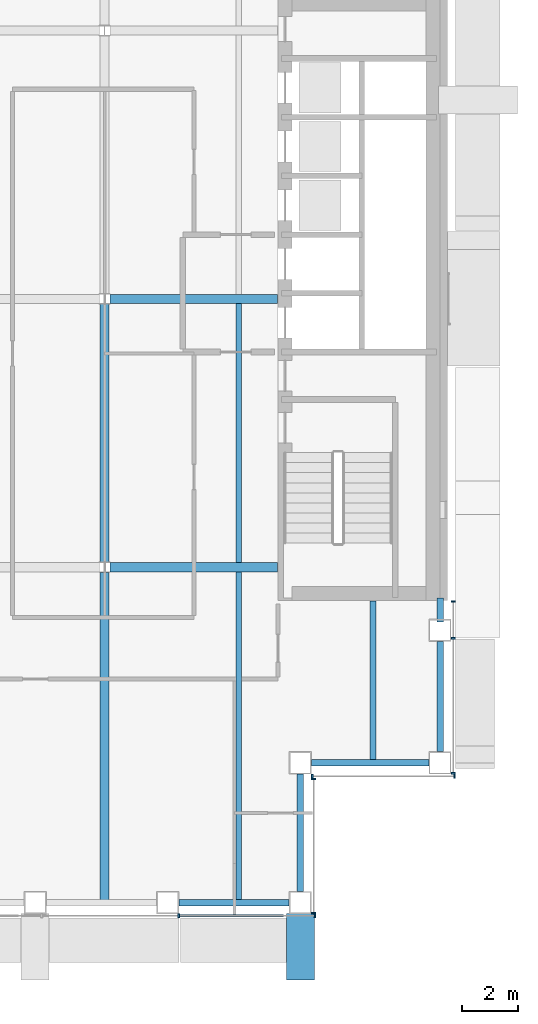
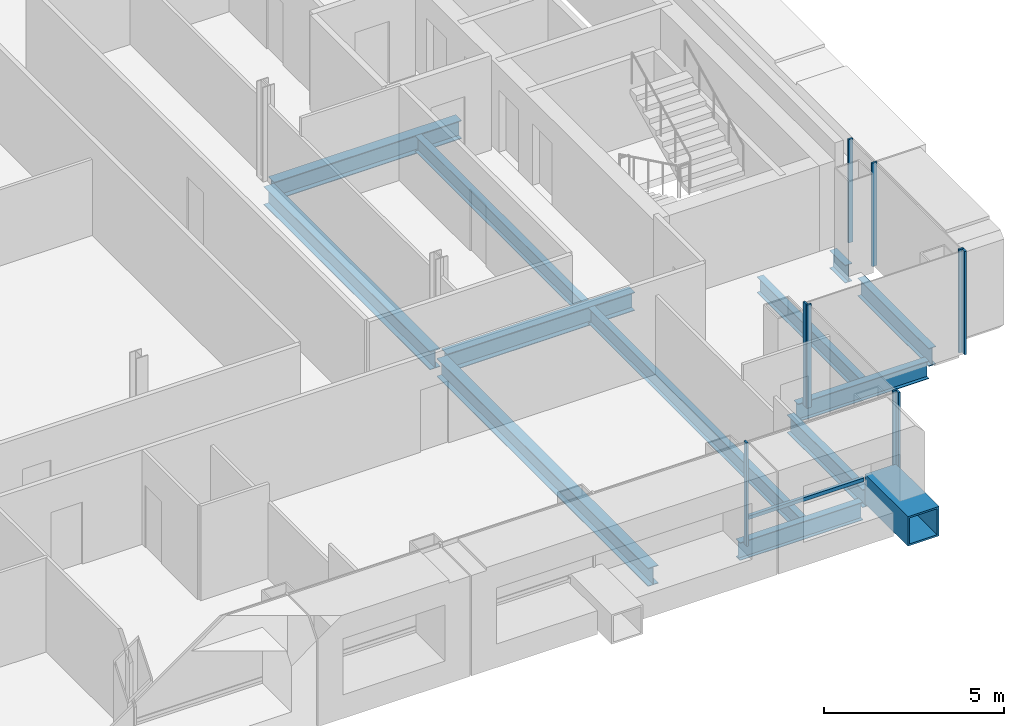
# One storey, part 6 of 21: 13 beams, 10 members, 4 elements without a shape of their own.
"""IFC4 building model written with IfcOpenShell, lengths in metres."""

from ifc_helpers import new_model, si_unit, direction, frame, origin, origin_2d, place, context, subcontext, project, spatial, rectangle, hollow_rectangle, i_section, extrude, material, material_profile, profile_set, type_object, element, aggregate, save


model = new_model("IFC4")

# Units and contexts
model_context = context("Model", 3, precision=1e-05, world=origin(), true_north=direction((0.0, 1.0)))
body_context = subcontext(model_context, "Body", "Model", "MODEL_VIEW")
ifc_project = project(units=[si_unit("LENGTHUNIT", "METRE"), si_unit("AREAUNIT", "SQUARE_METRE"), si_unit("VOLUMEUNIT", "CUBIC_METRE"), si_unit("PLANEANGLEUNIT", "RADIAN"), si_unit("MASSUNIT", "GRAM", prefix="KILO")], contexts=[model_context])

# Site, building, storey
site_placement = place(None, origin())
site = spatial("IfcSite", under=ifc_project, at=site_placement, CompositionType="ELEMENT")
building_placement = place(site_placement, origin())
building = spatial("IfcBuilding", under=site, at=building_placement, Name="Cobrizo Arcos Hotel Tower", CompositionType="ELEMENT")
storey_placement = place(building_placement, frame((0.0, 0.0, 183.0)))
storey = spatial("IfcBuildingStorey", under=building, at=storey_placement, Name="L47", CompositionType="ELEMENT", Elevation=183.0)

# Beam
ifc_material_1 = material(Name="Steel ASTM A572 Grade 50", Category="steel")
ifc_material_profile_1 = material_profile(ifc_material_1, hollow_rectangle(XDim=1.0, YDim=1.0, WallThickness=0.06005859375, at=origin_2d()), Name="BOX 1000X1000X60")
ifc_profile_set_1 = profile_set([ifc_material_profile_1], Name="Steel ASTM A572 Grade 50")
beam_type_1 = type_object("IfcBeamType", Name="BOX 1000X1000X60 brace connector strut", PredefinedType="BEAM", material=ifc_profile_set_1)
beam_1_placement = place(storey_placement, frame((16.60009765625, -21.989990234375, 0.5), z_axis=(0.0, -1.0, 0.0), x_axis=(1.0, 0.0, 0.0)))
element("IfcBeam", 1, at=beam_1_placement, inside=storey, type_object=beam_type_1, Name="Perimeter brace stub BS1, zone Z3, south face, offset +16.60 m, L47", PredefinedType="BEAM", context=body_context, shape_type="SweptSolid", body=[
    extrude(hollow_rectangle(XDim=1.0, YDim=1.0, WallThickness=0.06005859375, at=origin_2d()), origin(), (0.0, 0.0, 1.0), 2.380126953125),
])

# Curtain wall, members
ifc_material_2 = material(Name="Aluminium 6063-T6 anodised bronze", Category="aluminium")
curtain_wall_type = type_object("IfcCurtainWallType", Name="CW-A guest facade", PredefinedType="NOTDEFINED", material=ifc_material_2)
curtain_wall_1_placement = place(storey_placement, origin())
curtain_wall_1 = element("IfcCurtainWall", 2, at=curtain_wall_1_placement, inside=storey, type_object=curtain_wall_type, Name="CW-A L47 S face", PredefinedType="NOTDEFINED")
ifc_material_profile_2 = material_profile(ifc_material_2, rectangle(XDim=0.14990234375, YDim=0.06005859375, at=origin_2d()), Name="CW-A mullion 150x60")
ifc_profile_set_2 = profile_set([ifc_material_profile_2], Name="Aluminium 6063-T6 anodised bronze")
member_type_1 = type_object("IfcMemberType", Name="CW-A mullion 150x60", PredefinedType="MULLION", material=ifc_profile_set_2)
member_1_placement = place(storey_placement, frame((12.25, -22.074951171875, 0.0), z_axis=(0.0, 0.0, 1.0), x_axis=(0.0, -1.0, 0.0)))
member_1 = element("IfcMember", 3, at=member_1_placement, type_object=member_type_1, Name="CW-A mullion 7", PredefinedType="MULLION", context=body_context, shape_type="SweptSolid", body=[
    extrude(rectangle(XDim=0.14990234375, YDim=0.06005859375, at=origin_2d()), origin(), (0.0, 0.0, 1.0), 3.5),
])
member_2_placement = place(storey_placement, frame((17.1201171875, -22.074951171875, 0.0), z_axis=(0.0, 0.0, 1.0), x_axis=(0.0, -1.0, 0.0)))
member_2 = element("IfcMember", 4, at=member_2_placement, type_object=member_type_1, Name="CW-A mullion 8", PredefinedType="MULLION", context=body_context, shape_type="SweptSolid", body=[
    extrude(rectangle(XDim=0.14990234375, YDim=0.06005859375, at=origin_2d()), origin(), (0.0, 0.0, 1.0), 3.5),
])

curtain_wall_2_placement = place(storey_placement, origin())
curtain_wall_2 = element("IfcCurtainWall", 5, at=curtain_wall_2_placement, inside=storey, type_object=curtain_wall_type, Name="CW-A L47 E face", PredefinedType="NOTDEFINED")
member_3_placement = place(storey_placement, frame((17.074951171875, -21.969970703125, 0.0), z_axis=(0.0, 0.0, 1.0), x_axis=(1.0, 0.0, 0.0)))
member_3 = element("IfcMember", 6, at=member_3_placement, type_object=member_type_1, Name="CW-A mullion 1", PredefinedType="MULLION", context=body_context, shape_type="SweptSolid", body=[
    extrude(rectangle(XDim=0.14990234375, YDim=0.06005859375, at=origin_2d()), origin(), (0.0, 0.0, 1.0), 3.5),
])
member_4_placement = place(storey_placement, frame((17.074951171875, -17.179931640625, 0.0), z_axis=(0.0, 0.0, 1.0), x_axis=(1.0, 0.0, 0.0)))
member_4 = element("IfcMember", 7, at=member_4_placement, type_object=member_type_1, Name="CW-A mullion 2", PredefinedType="MULLION", context=body_context, shape_type="SweptSolid", body=[
    extrude(rectangle(XDim=0.14990234375, YDim=0.06005859375, at=origin_2d()), origin(), (0.0, 0.0, 1.0), 3.5),
])
aggregate(curtain_wall_2, [member_3, member_4])

curtain_wall_3_placement = place(storey_placement, origin())
curtain_wall_3 = element("IfcCurtainWall", 8, at=curtain_wall_3_placement, inside=storey, type_object=curtain_wall_type, Name="CW-A L47 S face", PredefinedType="NOTDEFINED")
member_5_placement = place(storey_placement, frame((17.030029296875, -17.074951171875, 0.0), z_axis=(0.0, 0.0, 1.0), x_axis=(0.0, -1.0, 0.0)))
member_5 = element("IfcMember", 9, at=member_5_placement, type_object=member_type_1, Name="CW-A mullion 1", PredefinedType="MULLION", context=body_context, shape_type="SweptSolid", body=[
    extrude(rectangle(XDim=0.14990234375, YDim=0.06005859375, at=origin_2d()), origin(), (0.0, 0.0, 1.0), 3.5),
])
member_6_placement = place(storey_placement, frame((22.1201171875, -17.074951171875, 0.0), z_axis=(0.0, 0.0, 1.0), x_axis=(0.0, -1.0, 0.0)))
member_6 = element("IfcMember", 10, at=member_6_placement, type_object=member_type_1, Name="CW-A mullion 2", PredefinedType="MULLION", context=body_context, shape_type="SweptSolid", body=[
    extrude(rectangle(XDim=0.14990234375, YDim=0.06005859375, at=origin_2d()), origin(), (0.0, 0.0, 1.0), 3.5),
])
aggregate(curtain_wall_3, [member_5, member_6])

curtain_wall_4_placement = place(storey_placement, origin())
curtain_wall_4 = element("IfcCurtainWall", 11, at=curtain_wall_4_placement, inside=storey, type_object=curtain_wall_type, Name="CW-A L47 E face", PredefinedType="NOTDEFINED")
member_7_placement = place(storey_placement, frame((22.074951171875, -16.969970703125, 0.0), z_axis=(0.0, 0.0, 1.0), x_axis=(1.0, 0.0, 0.0)))
member_7 = element("IfcMember", 12, at=member_7_placement, type_object=member_type_1, Name="CW-A mullion 1", PredefinedType="MULLION", context=body_context, shape_type="SweptSolid", body=[
    extrude(rectangle(XDim=0.14990234375, YDim=0.06005859375, at=origin_2d()), origin(), (0.0, 0.0, 1.0), 3.5),
])
member_8_placement = place(storey_placement, frame((22.074951171875, -12.142822265625, 0.0), z_axis=(0.0, 0.0, 1.0), x_axis=(1.0, 0.0, 0.0)))
member_8 = element("IfcMember", 13, at=member_8_placement, type_object=member_type_1, Name="CW-A mullion 2", PredefinedType="MULLION", context=body_context, shape_type="SweptSolid", body=[
    extrude(rectangle(XDim=0.14990234375, YDim=0.06005859375, at=origin_2d()), origin(), (0.0, 0.0, 1.0), 3.5),
])
member_9_placement = place(storey_placement, frame((22.074951171875, -10.830078125, 0.0), z_axis=(0.0, 0.0, 1.0), x_axis=(1.0, 0.0, 0.0)))
member_9 = element("IfcMember", 14, at=member_9_placement, type_object=member_type_1, Name="CW-A mullion 3", PredefinedType="MULLION", context=body_context, shape_type="SweptSolid", body=[
    extrude(rectangle(XDim=0.14990234375, YDim=0.06005859375, at=origin_2d()), origin(), (0.0, 0.0, 1.0), 3.5),
])
aggregate(curtain_wall_4, [member_7, member_8, member_9])

# Member
ifc_material_profile_3 = material_profile(ifc_material_2, rectangle(XDim=0.10009765625, YDim=0.1201171875, at=origin_2d()), Name="CW-A transom 120x100")
ifc_profile_set_3 = profile_set([ifc_material_profile_3], Name="Aluminium 6063-T6 anodised bronze")
member_type_2 = type_object("IfcMemberType", Name="CW-A transom 120x100", PredefinedType="USERDEFINED", material=ifc_profile_set_3)
member_10_placement = place(storey_placement, frame((12.280029296875, -22.074951171875, 0.929931640625), z_axis=(1.0, 0.0, 0.0), x_axis=(0.0, 1.0, 0.0)))
member_10 = element("IfcMember", 15, at=member_10_placement, type_object=member_type_2, Name="CW-A transom 1642", ObjectType="TRANSOM", PredefinedType="USERDEFINED", context=body_context, shape_type="SweptSolid", body=[
    extrude(rectangle(XDim=0.10009765625, YDim=0.1201171875, at=origin_2d()), origin(), (0.0, 0.0, 1.0), 3.719970703125),
])

aggregate(curtain_wall_1, [member_1, member_2, member_10])

# Beams
ifc_material_3 = material(Name="Steel ASTM A992 Grade 50", Category="steel")
ifc_material_profile_4 = material_profile(ifc_material_3, i_section(OverallWidth=0.209228515625, OverallDepth=0.533447265625, WebThickness=0.01025390625, FlangeThickness=0.015625, at=origin_2d()), Name="W21X62")
ifc_profile_set_4 = profile_set([ifc_material_profile_4], Name="Steel ASTM A992 Grade 50")
beam_type_2 = type_object("IfcBeamType", Name="W21X62 joist", PredefinedType="JOIST", material=ifc_profile_set_4)
beam_2_placement = place(storey_placement, frame((14.39990234375, -21.510009765625, -0.416748046875), z_axis=(0.0, 1.0, 0.0), x_axis=(-1.0, 0.0, 0.0)))
element("IfcBeam", 16, at=beam_2_placement, inside=storey, type_object=beam_type_2, Name="Floor joist J1, L47, no. 015", PredefinedType="JOIST", context=body_context, shape_type="SweptSolid", body=[
    extrude(i_section(OverallWidth=0.209228515625, OverallDepth=0.533447265625, WebThickness=0.01025390625, FlangeThickness=0.015625, at=origin_2d()), origin(), (0.0, 0.0, 1.0), 11.74609375),
])
beam_3_placement = place(storey_placement, frame((14.39990234375, -9.43603515625, -0.416748046875), z_axis=(0.0, 1.0, 0.0), x_axis=(-1.0, 0.0, 0.0)))
element("IfcBeam", 17, at=beam_3_placement, inside=storey, type_object=beam_type_2, Name="Floor joist J1, L47, no. 016", PredefinedType="JOIST", context=body_context, shape_type="SweptSolid", body=[
    extrude(i_section(OverallWidth=0.209228515625, OverallDepth=0.533447265625, WebThickness=0.01025390625, FlangeThickness=0.015625, at=origin_2d()), origin(), (0.0, 0.0, 1.0), 9.272216796875),
])
beam_4_placement = place(storey_placement, frame((19.199951171875, -16.510009765625, -0.416748046875), z_axis=(0.0, 1.0, 0.0), x_axis=(-1.0, 0.0, 0.0)))
element("IfcBeam", 18, at=beam_4_placement, inside=storey, type_object=beam_type_2, Name="Floor joist J1, L47, no. 019", PredefinedType="JOIST", context=body_context, shape_type="SweptSolid", body=[
    extrude(i_section(OverallWidth=0.209228515625, OverallDepth=0.533447265625, WebThickness=0.01025390625, FlangeThickness=0.015625, at=origin_2d()), origin(), (0.0, 0.0, 1.0), 5.699951171875),
])
ifc_material_profile_5 = material_profile(ifc_material_3, i_section(OverallWidth=0.32763671875, OverallDepth=0.622314453125, WebThickness=0.015380859375, FlangeThickness=0.0244140625, at=origin_2d()), Name="W24X131")
ifc_profile_set_5 = profile_set([ifc_material_profile_5], Name="Steel ASTM A992 Grade 50")
beam_type_3 = type_object("IfcBeamType", Name="W24X131 girder", PredefinedType="BEAM", material=ifc_profile_set_5)
for number, where, z_axis, x_axis, name in (
    (19, (9.78662109375, -9.60009765625, -0.461181640625), (1.0, 0.0, 0.0), (0.0, 1.0, 0.0), "Floor girder G1, L47, no. 004"),
    (20, (9.78662109375, 0.0, -0.461181640625), (1.0, 0.0, 0.0), (0.0, 1.0, 0.0), "Floor girder G1, L47, no. 008"),
):
    element("IfcBeam", number, at=place(storey_placement, frame(where, z_axis=z_axis, x_axis=x_axis)), inside=storey, type_object=beam_type_3, Name=name, PredefinedType="BEAM", context=body_context, shape_type="SweptSolid", body=[
        extrude(i_section(OverallWidth=0.32763671875, OverallDepth=0.622314453125, WebThickness=0.015380859375, FlangeThickness=0.0244140625, at=origin_2d()), origin(), (0.0, 0.0, 1.0), 6.00341796875),
    ])
beam_5_placement = place(storey_placement, frame((9.60009765625, -21.510009765625, -0.461181640625), z_axis=(0.0, 1.0, 0.0), x_axis=(-1.0, 0.0, 0.0)))
element("IfcBeam", 21, at=beam_5_placement, inside=storey, type_object=beam_type_3, Name="Floor girder G1, L47, no. 021", PredefinedType="BEAM", context=body_context, shape_type="SweptSolid", body=[
    extrude(i_section(OverallWidth=0.32763671875, OverallDepth=0.622314453125, WebThickness=0.015380859375, FlangeThickness=0.0244140625, at=origin_2d()), origin(), (0.0, 0.0, 1.0), 11.723388671875),
])
beam_6_placement = place(storey_placement, frame((9.60009765625, -9.413330078125, -0.461181640625), z_axis=(0.0, 1.0, 0.0), x_axis=(-1.0, 0.0, 0.0)))
element("IfcBeam", 22, at=beam_6_placement, inside=storey, type_object=beam_type_3, Name="Floor girder G1, L47, no. 022", PredefinedType="BEAM", context=body_context, shape_type="SweptSolid", body=[
    extrude(i_section(OverallWidth=0.32763671875, OverallDepth=0.622314453125, WebThickness=0.015380859375, FlangeThickness=0.0244140625, at=origin_2d()), origin(), (0.0, 0.0, 1.0), 9.2265625),
])
ifc_material_profile_6 = material_profile(ifc_material_3, i_section(OverallWidth=0.228271484375, OverallDepth=0.607177734375, WebThickness=0.01123046875, FlangeThickness=0.017333984375, at=origin_2d()), Name="W24X76")
ifc_profile_set_6 = profile_set([ifc_material_profile_6], Name="Steel ASTM A992 Grade 50")
beam_type_4 = type_object("IfcBeamType", Name="W24X76 spandrel", PredefinedType="SPANDREL", material=ifc_profile_set_6)
beam_7_placement = place(storey_placement, frame((12.257080078125, -21.60009765625, -0.45361328125), z_axis=(1.0, 0.0, 0.0), x_axis=(0.0, 1.0, 0.0)))
element("IfcBeam", 23, at=beam_7_placement, inside=storey, type_object=beam_type_4, Name="Spandrel beam W24X76, L47, no. 007", PredefinedType="SPANDREL", context=body_context, shape_type="SweptSolid", body=[
    extrude(i_section(OverallWidth=0.228271484375, OverallDepth=0.607177734375, WebThickness=0.01123046875, FlangeThickness=0.017333984375, at=origin_2d()), origin(), (0.0, 0.0, 1.0), 3.94287109375),
])
for number, where, z_axis, x_axis, name in (
    (24, (16.60009765625, -21.199951171875, -0.45361328125), (0.0, 1.0, 0.0), (-1.0, 0.0, 0.0), "Spandrel beam W24X76, L47, no. 008"),
    (25, (17.0, -16.60009765625, -0.45361328125), (1.0, 0.0, 0.0), (0.0, 1.0, 0.0), "Spandrel beam W24X76, L47, no. 009"),
):
    element("IfcBeam", number, at=place(storey_placement, frame(where, z_axis=z_axis, x_axis=x_axis)), inside=storey, type_object=beam_type_4, Name=name, PredefinedType="SPANDREL", context=body_context, shape_type="SweptSolid", body=[
        extrude(i_section(OverallWidth=0.228271484375, OverallDepth=0.607177734375, WebThickness=0.01123046875, FlangeThickness=0.017333984375, at=origin_2d()), origin(), (0.0, 0.0, 1.0), 4.199951171875),
    ])
beam_8_placement = place(storey_placement, frame((21.60009765625, -16.199951171875, -0.45361328125), z_axis=(0.0, 1.0, 0.0), x_axis=(-1.0, 0.0, 0.0)))
element("IfcBeam", 26, at=beam_8_placement, inside=storey, type_object=beam_type_4, Name="Spandrel beam W24X76, L47, no. 010", PredefinedType="SPANDREL", context=body_context, shape_type="SweptSolid", body=[
    extrude(i_section(OverallWidth=0.228271484375, OverallDepth=0.607177734375, WebThickness=0.01123046875, FlangeThickness=0.017333984375, at=origin_2d()), origin(), (0.0, 0.0, 1.0), 3.94287109375),
])
beam_9_placement = place(storey_placement, frame((21.60009765625, -11.556884765625, -0.45361328125), z_axis=(0.0, 1.0, 0.0), x_axis=(-1.0, 0.0, 0.0)))
element("IfcBeam", 27, at=beam_9_placement, inside=storey, type_object=beam_type_4, Name="Spandrel beam W24X76, L47, no. 011", PredefinedType="SPANDREL", context=body_context, shape_type="SweptSolid", body=[
    extrude(i_section(OverallWidth=0.228271484375, OverallDepth=0.607177734375, WebThickness=0.01123046875, FlangeThickness=0.017333984375, at=origin_2d()), origin(), (0.0, 0.0, 1.0), 0.846923828125),
])

save(model, "model.ifc")
